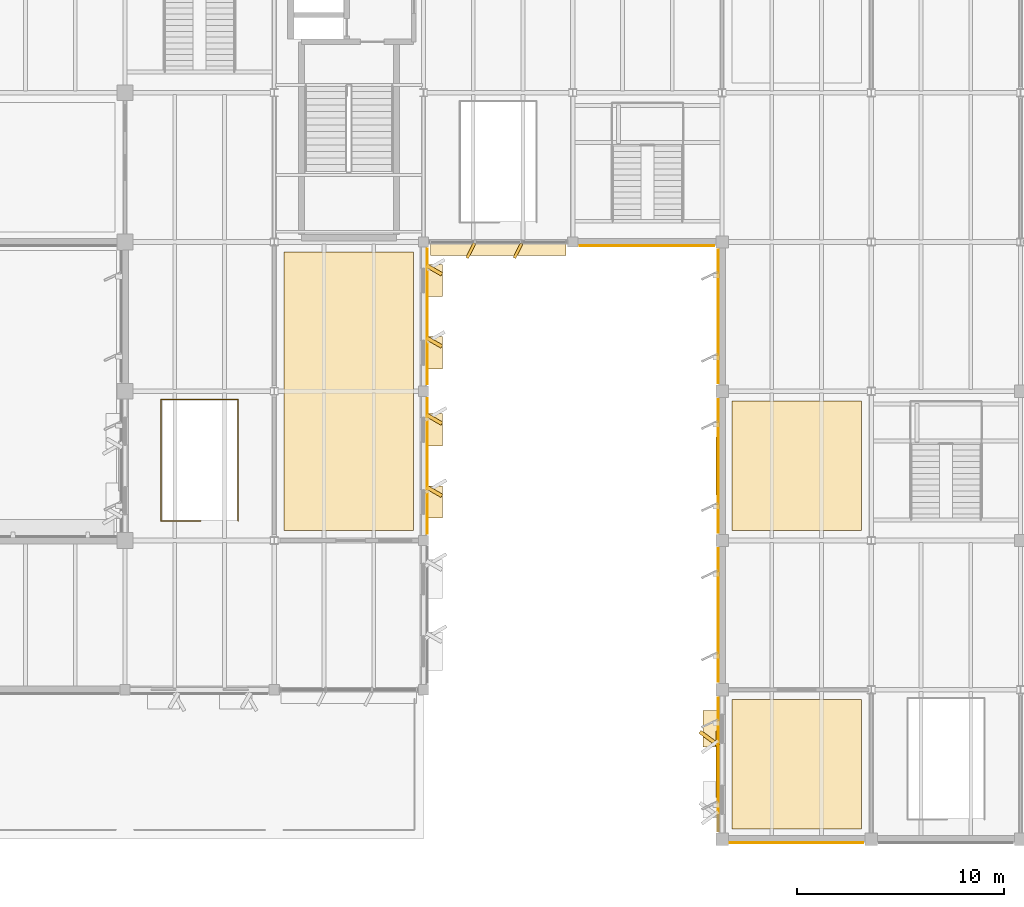
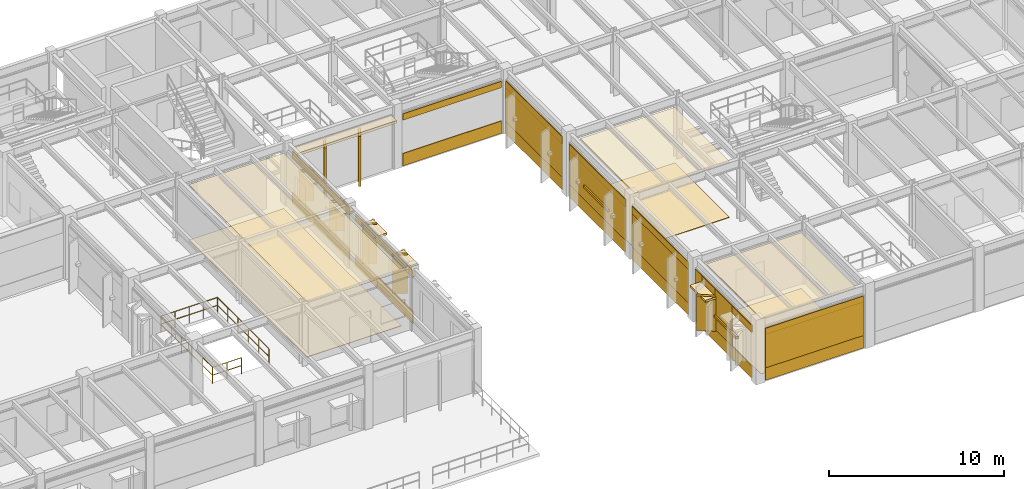
# One storey, part 77 of 92: 41 coverings, 2 shading devices, 1 railing.
"""IFC4 building model written with IfcOpenShell, lengths in metres."""

import ifcopenshell
import ifcopenshell.guid

model = None  # the IFC model being written
_history = None  # IfcOwnerHistory: only IFC2X3 demands one
_inside = {}  # id of a spatial element -> (the spatial element, [elements in it])
_under = {}  # id of a project, library or spatial element -> (it, [spatial elements below it])
_declared = {}  # id of a project -> (the project, [libraries it declares])
_typed = {}  # id of a type object -> (the type object, [elements of that type])
_made_of = {}  # id of a material, layer set ... -> (it, [elements and type objects made of it])


def new_model(schema):
    """Start an empty IFC model of exactly this schema.

    Asked for "IFC4X3", IfcOpenShell would pick the latest addendum, in which some entities
    have other attributes; the version numbers below select the first issue.
    IFC2X3 requires an IfcOwnerHistory on every rooted entity: one is made here for all.
    """
    global model, _history
    if schema == "IFC4X3":
        model = ifcopenshell.file(schema_version=(4, 3, 0, 0))
    else:
        model = ifcopenshell.file(schema=schema)
    _inside.clear()
    _under.clear()
    _declared.clear()
    _typed.clear()
    _made_of.clear()
    _history = None
    if model.schema == "IFC2X3":
        org = make("IfcOrganization", Name="unknown")
        user = make(
            "IfcPersonAndOrganization",
            ThePerson=make("IfcPerson", FamilyName="unknown"),
            TheOrganization=org,
        )
        app = make(
            "IfcApplication",
            ApplicationDeveloper=org,
            Version="unknown",
            ApplicationFullName="unknown",
            ApplicationIdentifier="unknown",
        )
        _history = make(
            "IfcOwnerHistory",
            OwningUser=user,
            OwningApplication=app,
            ChangeAction="ADDED",
            CreationDate=0,
        )
    return model


def make(cls, **values):
    """One entity of the class cls with the attributes given. An attribute that is None is left unset."""
    return model.create_entity(
        cls, **{name: value for name, value in values.items() if value is not None}
    )


def rooted(cls, **values):
    """An entity with a GlobalId (a new one), such as an element, a storey or a relation."""
    return make(cls, GlobalId=ifcopenshell.guid.new(), OwnerHistory=_history, **values)


def si_unit(unit_type, name, prefix=None):
    """IfcSIUnit, for example si_unit("LENGTHUNIT", "METRE", prefix="MILLI")."""
    return make("IfcSIUnit", UnitType=unit_type, Prefix=prefix, Name=name)


def assignment(units):
    """IfcUnitAssignment: the units of a project."""
    return None if units is None else make("IfcUnitAssignment", Units=units)


def point(xyz):
    """IfcCartesianPoint."""
    return None if xyz is None else make("IfcCartesianPoint", Coordinates=xyz)


def direction(xyz):
    """IfcDirection."""
    return None if xyz is None else make("IfcDirection", DirectionRatios=xyz)


def frame(location, z_axis=None, x_axis=None):
    """IfcAxis2Placement3D, a coordinate frame: its origin and axes. An axis left out is left unset."""
    return make(
        "IfcAxis2Placement3D",
        Location=point(location),
        Axis=direction(z_axis),
        RefDirection=direction(x_axis),
    )


def frame_2d(location, x_axis=None):
    """IfcAxis2Placement2D, a coordinate frame in the plane: its origin and x axis."""
    return make(
        "IfcAxis2Placement2D", Location=point(location), RefDirection=direction(x_axis)
    )


def origin():
    """The frame at (0, 0, 0) with its axes left unset."""
    return frame((0.0, 0.0, 0.0))


def origin_2d():
    """The frame at (0, 0) in the plane with its x axis left unset."""
    return frame_2d((0.0, 0.0))


def place(relative_to, where):
    """IfcLocalPlacement: puts the frame where relative to a parent placement (None: the world)."""
    return make(
        "IfcLocalPlacement", PlacementRelTo=relative_to, RelativePlacement=where
    )


def context(
    kind, dimensions, precision=None, world=None, true_north=None, identifier=None
):
    """IfcGeometricRepresentationContext, for example the 3D "Model" context."""
    return make(
        "IfcGeometricRepresentationContext",
        ContextIdentifier=identifier,
        ContextType=kind,
        CoordinateSpaceDimension=dimensions,
        Precision=precision,
        WorldCoordinateSystem=world,
        TrueNorth=true_north,
    )


def subcontext(parent, identifier, kind, view, scale=None):
    """IfcGeometricRepresentationSubContext, for example "Body" below "Model"."""
    return make(
        "IfcGeometricRepresentationSubContext",
        ContextIdentifier=identifier,
        ContextType=kind,
        ParentContext=parent,
        TargetScale=scale,
        TargetView=view,
    )


def project(units=None, contexts=None):
    """IfcProject with its units and contexts."""
    return rooted(
        "IfcProject",
        Name="project",
        RepresentationContexts=contexts,
        UnitsInContext=assignment(units),
    )


def spatial(cls, under=None, at=None, **own):
    """A site, building, storey or space (cls), placed at a placement, below another one or the project."""
    s = rooted(cls, ObjectPlacement=at, **own)
    if under is not None:
        _under.setdefault(under.id(), (under, []))[1].append(s)
    return s


def polyline(points):
    """IfcPolyline through the points."""
    return make("IfcPolyline", Points=[point(p) for p in points])


def profile(cls, at=None, kind="AREA", **sizes):
    """A parametric profile (cls). Its sizes go by their IFC names, for example OverallWidth=200.0."""
    return make(cls, ProfileType=kind, Position=at, **sizes)


def rectangle(**sizes):
    """IfcRectangleProfileDef."""
    return profile("IfcRectangleProfileDef", **sizes)


def circle(**sizes):
    """IfcCircleProfileDef."""
    return profile("IfcCircleProfileDef", **sizes)


def outline(outer, holes=None, kind="AREA"):
    """IfcArbitraryClosedProfileDef: a profile drawn as a closed curve; with holes, ...WithVoids."""
    if holes is None:
        return make("IfcArbitraryClosedProfileDef", ProfileType=kind, OuterCurve=outer)
    return make(
        "IfcArbitraryProfileDefWithVoids",
        ProfileType=kind,
        OuterCurve=outer,
        InnerCurves=holes,
    )


def extrude(swept, where, along, depth):
    """IfcExtrudedAreaSolid: the profile swept, set in the frame where, extruded along a direction by depth."""
    return make(
        "IfcExtrudedAreaSolid",
        SweptArea=swept,
        Position=where,
        ExtrudedDirection=direction(along),
        Depth=depth,
    )


def shape(context_of_items, identifier, shape_type, items):
    """IfcShapeRepresentation: the items that make up one representation, for example the "Body"."""
    return make(
        "IfcShapeRepresentation",
        ContextOfItems=context_of_items,
        RepresentationIdentifier=identifier,
        RepresentationType=shape_type,
        Items=items,
    )


def material(Name=None, Category=None):
    """IfcMaterial."""
    return make("IfcMaterial", Name=Name, Category=Category)


def layer(
    of_material, thickness, ventilated=None, Name=None, Category=None, Priority=None
):
    """IfcMaterialLayer: one layer of a wall or slab, of a material (None: an air gap)."""
    return make(
        "IfcMaterialLayer",
        Material=of_material,
        LayerThickness=thickness,
        IsVentilated=ventilated,
        Name=Name,
        Category=Category,
        Priority=Priority,
    )


def layer_set(layers, Name=None):
    """IfcMaterialLayerSet."""
    return make("IfcMaterialLayerSet", MaterialLayers=layers, LayerSetName=Name)


def made_of(thing, what):
    """Note that an element or type object is made of a material, layer set ...; save() writes the relation."""
    if what is not None:
        _made_of.setdefault(what.id(), (what, []))[1].append(thing)
    return thing


def type_object(cls, material=None, **own):
    """A type object (cls), such as IfcWallType, which elements share."""
    return made_of(rooted(cls, **own), material)


def element(
    cls,
    number,
    at=None,
    inside=None,
    cuts=None,
    type_object=None,
    material=None,
    context=None,
    identifier="Body",
    shape_type=None,
    held_by="IfcProductDefinitionShape",
    body=None,
    shapes=None,
    **own,
):
    """One element of the class cls, such as IfcWall. Its Tag is "e" and its number.

    at: its placement. inside: the storey or other place that contains it. cuts: it is an
    opening in that element (IfcRelVoidsElement). A single representation is given by context,
    identifier, shape_type and body (its items); several are given by shapes. held_by: the class
    of the entity that holds the representations. save() writes the other relations.
    """
    e = rooted(cls, Tag="e%d" % number, ObjectPlacement=at, **own)
    if body is not None:
        shapes = [shape(context, identifier, shape_type, body)]
    if shapes is not None:
        e.Representation = make(held_by, Representations=shapes)
    if inside is not None:
        _inside.setdefault(inside.id(), (inside, []))[1].append(e)
    if cuts is not None:
        rooted(
            "IfcRelVoidsElement", RelatingBuildingElement=cuts, RelatedOpeningElement=e
        )
    if type_object is not None:
        _typed.setdefault(type_object.id(), (type_object, []))[1].append(e)
    return made_of(e, material)


def aggregate(whole, parts):
    """IfcRelAggregates: a whole, such as a stair, and the parts it consists of."""
    return rooted("IfcRelAggregates", RelatingObject=whole, RelatedObjects=parts)


def save(model, path):
    """Write the relations noted so far, then the file.

    IfcRelAggregates (storeys below a building ...), IfcRelContainedInSpatialStructure (elements
    in a storey), IfcRelDefinesByType, IfcRelAssociatesMaterial and IfcRelDeclares: one each for
    every whole, place, type object, material and project.
    """
    for whole, parts in _under.values():
        aggregate(whole, parts)
    for where, things in _inside.values():
        rooted(
            "IfcRelContainedInSpatialStructure",
            RelatedElements=things,
            RelatingStructure=where,
        )
    for kind, things in _typed.values():
        rooted("IfcRelDefinesByType", RelatedObjects=things, RelatingType=kind)
    for what, things in _made_of.values():
        rooted("IfcRelAssociatesMaterial", RelatedObjects=things, RelatingMaterial=what)
    for by, libraries in _declared.values():
        rooted("IfcRelDeclares", RelatingContext=by, RelatedDefinitions=libraries)
    model.write(path)


model = new_model("IFC4")

# Units and contexts
model_context = context("Model", 3, precision=1e-05, world=origin(), true_north=direction((0.0, 1.0)))
body_context = subcontext(model_context, "Body", "Model", "MODEL_VIEW")
ifc_project = project(units=[si_unit("LENGTHUNIT", "METRE"), si_unit("AREAUNIT", "SQUARE_METRE"), si_unit("VOLUMEUNIT", "CUBIC_METRE"), si_unit("PLANEANGLEUNIT", "RADIAN"), si_unit("MASSUNIT", "GRAM", prefix="KILO")], contexts=[model_context])

# Site, building, storey
site_placement = place(None, origin())
site = spatial("IfcSite", under=ifc_project, at=site_placement, CompositionType="ELEMENT")
building_placement = place(site_placement, origin())
building = spatial("IfcBuilding", under=site, at=building_placement, Name="Sillqori Civic Hall", CompositionType="ELEMENT")
storey_placement = place(building_placement, frame((0.0, 0.0, 5.39990234375)))
storey = spatial("IfcBuildingStorey", under=building, at=storey_placement, Name="L02", CompositionType="ELEMENT", Elevation=5.39990234375)

# Coverings
ifc_material_1 = material(Name="Acoustic Gypsum Board Assembly 28", Category="gypsum")
ifc_layer_1 = layer(ifc_material_1, 0.028076171875)
ifc_layer_set_1 = layer_set([ifc_layer_1], Name="Acoustic Gypsum Board Assembly 28")
covering_type_1 = type_object("IfcCoveringType", Name="COV-CEIL-G28", PredefinedType="CEILING", material=ifc_layer_set_1)
covering_1_placement = place(storey_placement, frame((0.0, 0.0, 3.873046875)))
element("IfcCovering", 1, at=covering_1_placement, inside=storey, type_object=covering_type_1, Name="Broadcast Control and Parliamentary Recording Room acoustic ceiling", PredefinedType="CEILING", context=body_context, shape_type="SweptSolid", body=[
    extrude(outline(polyline([(43.679931640625, 22.080078125), (49.919921875, 22.080078125), (49.919921875, 35.52001953125), (43.679931640625, 35.52001953125), (43.679931640625, 22.080078125)])), origin(), (0.0, 0.0, 1.0), 0.028076171875),
])
ifc_material_2 = material(Name="Perforated Metal Coffer Panel 64", Category="aluminium")
ifc_layer_2 = layer(ifc_material_2, 0.06396484375)
ifc_layer_set_2 = layer_set([ifc_layer_2], Name="Perforated Metal Coffer Panel 64")
covering_type_2 = type_object("IfcCoveringType", Name="COV-CEIL-M64", PredefinedType="CEILING", material=ifc_layer_set_2)
covering_2_placement = place(storey_placement, frame((0.0, 0.0, 3.837158203125)))
element("IfcCovering", 2, at=covering_2_placement, inside=storey, type_object=covering_type_2, Name="Building Permits Technical Review Counter acoustic ceiling", PredefinedType="CEILING", context=body_context, shape_type="SweptSolid", body=[
    extrude(outline(polyline([(65.280029296875, 22.080078125), (71.52001953125, 22.080078125), (71.52001953125, 28.320068359375), (65.280029296875, 28.320068359375), (65.280029296875, 22.080078125)])), origin(), (0.0, 0.0, 1.0), 0.06396484375),
])
ifc_material_3 = material(Name="Andean Cedar Deep Baffle 58", Category="timber")
ifc_layer_3 = layer(ifc_material_3, 0.05810546875)
ifc_layer_set_3 = layer_set([ifc_layer_3], Name="Andean Cedar Deep Baffle 58")
covering_type_3 = type_object("IfcCoveringType", Name="COV-CEIL-T58", PredefinedType="CEILING", material=ifc_layer_set_3)
covering_3_placement = place(storey_placement, frame((0.0, 0.0, 3.843017578125)))
element("IfcCovering", 3, at=covering_3_placement, inside=storey, type_object=covering_type_3, Name="Citizens Tax and Property Assessment Suite acoustic ceiling", PredefinedType="CEILING", context=body_context, shape_type="SweptSolid", body=[
    extrude(outline(polyline([(65.280029296875, 7.679931640625), (71.52001953125, 7.679931640625), (71.52001953125, 13.919921875), (65.280029296875, 13.919921875), (65.280029296875, 7.679931640625)])), origin(), (0.0, 0.0, 1.0), 0.05810546875),
])
ifc_material_4 = material(Name="Cochabamba Honed Limestone Cladding", Category="masonry")
ifc_layer_4 = layer(ifc_material_4, 0.044921875)
ifc_layer_set_4 = layer_set([ifc_layer_4], Name="Cochabamba Honed Limestone Cladding")
covering_type_4 = type_object("IfcCoveringType", Name="COV-CLAD-LIME", PredefinedType="CLADDING", material=ifc_layer_set_4)
covering_4_placement = place(storey_placement, frame((50.590087890625, 28.469970703125, 0.0400390625), z_axis=(0.0, 0.0, 1.0), x_axis=(0.0, -1.0, 0.0)))
element("IfcCovering", 4, at=covering_4_placement, inside=storey, type_object=covering_type_4, Name="L02 limestone spandrel cladding L02-06-03-E", PredefinedType="CLADDING", context=body_context, shape_type="SweptSolid", body=[
    extrude(rectangle(XDim=6.5400390625, YDim=0.044921875, at=frame_2d((3.27001953125, 0.0))), origin(), (0.0, 0.0, 1.0), 0.860107421875),
])
covering_5_placement = place(storey_placement, frame((50.590087890625, 28.469970703125, 3.22021484375), z_axis=(0.0, 0.0, 1.0), x_axis=(0.0, -1.0, 0.0)))
element("IfcCovering", 5, at=covering_5_placement, inside=storey, type_object=covering_type_4, Name="L02 limestone frieze cladding L02-06-03-E", PredefinedType="CLADDING", context=body_context, shape_type="SweptSolid", body=[
    extrude(rectangle(XDim=6.5400390625, YDim=0.044921875, at=frame_2d((3.27001953125, 0.0))), origin(), (0.0, 0.0, 1.0), 0.5068359375),
])
covering_6_placement = place(storey_placement, frame((50.550048828125, 27.662109375, 0.830078125), z_axis=(0.0, 0.0, 1.0), x_axis=(0.865989465428, -0.500062241894, 0.0)))
element("IfcCovering", 6, at=covering_6_placement, inside=storey, type_object=covering_type_4, Name="Sawtooth limestone angled reveal cheek L02-06-03-E.1", PredefinedType="CLADDING", context=body_context, shape_type="SweptSolid", body=[
    extrude(rectangle(XDim=0.85009765625, YDim=0.179931640625, at=frame_2d((0.425048828125, 0.0))), origin(), (0.0, 0.0, 1.0), 2.699951171875),
])
covering_7_placement = place(storey_placement, frame((50.929931640625, 27.721923828125, 3.39013671875), z_axis=(0.0, 0.0, 1.0), x_axis=(0.0, -1.0, 0.0)))
element("IfcCovering", 7, at=covering_7_placement, inside=storey, type_object=covering_type_4, Name="Sawtooth limestone window hood L02-06-03-E.1", PredefinedType="CLADDING", context=body_context, shape_type="SweptSolid", body=[
    extrude(rectangle(XDim=1.559814453125, YDim=0.780029296875, at=frame_2d((0.77978515625, 0.0))), origin(), (0.0, 0.0, 1.0), 0.139892578125),
])
covering_8_placement = place(storey_placement, frame((50.550048828125, 24.177978515625, 0.830078125), z_axis=(0.0, 0.0, 1.0), x_axis=(0.865989465428, -0.500062241894, 0.0)))
element("IfcCovering", 8, at=covering_8_placement, inside=storey, type_object=covering_type_4, Name="Sawtooth limestone angled reveal cheek L02-06-03-E.2", PredefinedType="CLADDING", context=body_context, shape_type="SweptSolid", body=[
    extrude(rectangle(XDim=0.85009765625, YDim=0.179931640625, at=frame_2d((0.425048828125, 0.0))), origin(), (0.0, 0.0, 1.0), 2.699951171875),
])
covering_9_placement = place(storey_placement, frame((50.929931640625, 24.238037109375, 3.39013671875), z_axis=(0.0, 0.0, 1.0), x_axis=(0.0, -1.0, 0.0)))
element("IfcCovering", 9, at=covering_9_placement, inside=storey, type_object=covering_type_4, Name="Sawtooth limestone window hood L02-06-03-E.2", PredefinedType="CLADDING", context=body_context, shape_type="SweptSolid", body=[
    extrude(rectangle(XDim=1.56005859375, YDim=0.780029296875, at=frame_2d((0.780029296875, 0.0))), origin(), (0.0, 0.0, 1.0), 0.139892578125),
])
covering_10_placement = place(storey_placement, frame((50.590087890625, 35.669921875, 0.0400390625), z_axis=(0.0, 0.0, 1.0), x_axis=(0.0, -1.0, 0.0)))
element("IfcCovering", 10, at=covering_10_placement, inside=storey, type_object=covering_type_4, Name="L02 limestone spandrel cladding L02-06-04-E", PredefinedType="CLADDING", context=body_context, shape_type="SweptSolid", body=[
    extrude(rectangle(XDim=6.5400390625, YDim=0.044921875, at=frame_2d((3.27001953125, 0.0))), origin(), (0.0, 0.0, 1.0), 0.860107421875),
])
covering_11_placement = place(storey_placement, frame((50.590087890625, 35.669921875, 3.22021484375), z_axis=(0.0, 0.0, 1.0), x_axis=(0.0, -1.0, 0.0)))
element("IfcCovering", 11, at=covering_11_placement, inside=storey, type_object=covering_type_4, Name="L02 limestone frieze cladding L02-06-04-E", PredefinedType="CLADDING", context=body_context, shape_type="SweptSolid", body=[
    extrude(rectangle(XDim=6.5400390625, YDim=0.044921875, at=frame_2d((3.27001953125, 0.0))), origin(), (0.0, 0.0, 1.0), 0.5068359375),
])
covering_12_placement = place(storey_placement, frame((50.550048828125, 34.862060546875, 0.830078125), z_axis=(0.0, 0.0, 1.0), x_axis=(0.865989465428, -0.500062241894, 0.0)))
element("IfcCovering", 12, at=covering_12_placement, inside=storey, type_object=covering_type_4, Name="Sawtooth limestone angled reveal cheek L02-06-04-E.1", PredefinedType="CLADDING", context=body_context, shape_type="SweptSolid", body=[
    extrude(rectangle(XDim=0.85009765625, YDim=0.179931640625, at=frame_2d((0.425048828125, 0.0))), origin(), (0.0, 0.0, 1.0), 2.0),
])
covering_13_placement = place(storey_placement, frame((50.929931640625, 34.922119140625, 2.690185546875), z_axis=(0.0, 0.0, 1.0), x_axis=(0.0, -1.0, 0.0)))
element("IfcCovering", 13, at=covering_13_placement, inside=storey, type_object=covering_type_4, Name="Sawtooth limestone window hood L02-06-04-E.1", PredefinedType="CLADDING", context=body_context, shape_type="SweptSolid", body=[
    extrude(rectangle(XDim=1.56005859375, YDim=0.780029296875, at=frame_2d((0.780029296875, 0.0))), origin(), (0.0, 0.0, 1.0), 0.139892578125),
])
covering_14_placement = place(storey_placement, frame((50.550048828125, 31.3779296875, 0.830078125), z_axis=(0.0, 0.0, 1.0), x_axis=(0.865989465428, -0.500062241894, 0.0)))
element("IfcCovering", 14, at=covering_14_placement, inside=storey, type_object=covering_type_4, Name="Sawtooth limestone angled reveal cheek L02-06-04-E.2", PredefinedType="CLADDING", context=body_context, shape_type="SweptSolid", body=[
    extrude(rectangle(XDim=0.85009765625, YDim=0.179931640625, at=frame_2d((0.425048828125, 0.0))), origin(), (0.0, 0.0, 1.0), 2.0),
])
covering_15_placement = place(storey_placement, frame((50.929931640625, 31.43798828125, 2.690185546875), z_axis=(0.0, 0.0, 1.0), x_axis=(0.0, -1.0, 0.0)))
element("IfcCovering", 15, at=covering_15_placement, inside=storey, type_object=covering_type_4, Name="Sawtooth limestone window hood L02-06-04-E.2", PredefinedType="CLADDING", context=body_context, shape_type="SweptSolid", body=[
    extrude(rectangle(XDim=1.56005859375, YDim=0.780029296875, at=frame_2d((0.780029296875, 0.0))), origin(), (0.0, 0.0, 1.0), 0.139892578125),
])
covering_16_placement = place(storey_placement, frame((57.27001953125, 35.679931640625, 3.51806640625), z_axis=(0.0, 0.0, 1.0), x_axis=(-1.0, 0.0, 0.0)))
element("IfcCovering", 16, at=covering_16_placement, inside=storey, type_object=covering_type_4, Name="L02 curtain-wall limestone solar hood L02-07-05-S", PredefinedType="CLADDING", context=body_context, shape_type="SweptSolid", body=[
    extrude(rectangle(XDim=6.5400390625, YDim=0.679931640625, at=frame_2d((3.27001953125, 0.0))), origin(), (0.0, 0.0, 1.0), 0.179931640625),
])
for number, where, z_axis, x_axis, name in (
    (17, (55.138916015625, 35.949951171875, 0.06005859375), (0.0, 0.0, 1.0), (-0.44709226377, -0.894487846579, 0.0), "L02 curtain-wall angled stone fin L02-07-05-S.1"),
    (18, (52.861083984375, 35.949951171875, 0.06005859375), (0.0, 0.0, 1.0), (-0.447334902547, -0.894366527193, 0.0), "L02 curtain-wall angled stone fin L02-07-05-S.2"),
):
    element("IfcCovering", number, at=place(storey_placement, frame(where, z_axis=z_axis, x_axis=x_axis)), inside=storey, type_object=covering_type_4, Name=name, PredefinedType="CLADDING", context=body_context, shape_type="SweptSolid", body=[
        extrude(rectangle(XDim=0.804931640625, YDim=0.139892578125, at=frame_2d((0.40234375, 0.0))), origin(), (0.0, 0.0, 1.0), 3.4580078125),
    ])
covering_17_placement = place(storey_placement, frame((64.419921875, 35.81005859375, 0.0400390625), z_axis=(0.0, 0.0, 1.0), x_axis=(-1.0, 0.0, 0.0)))
element("IfcCovering", 19, at=covering_17_placement, inside=storey, type_object=covering_type_4, Name="L02 limestone spandrel cladding L02-08-05-S", PredefinedType="CLADDING", context=body_context, shape_type="SweptSolid", body=[
    extrude(rectangle(XDim=6.489990234375, YDim=0.044921875, at=frame_2d((3.2451171875, 0.0))), origin(), (0.0, 0.0, 1.0), 0.860107421875),
])
covering_18_placement = place(storey_placement, frame((64.419921875, 35.81005859375, 3.22021484375), z_axis=(0.0, 0.0, 1.0), x_axis=(-1.0, 0.0, 0.0)))
element("IfcCovering", 20, at=covering_18_placement, inside=storey, type_object=covering_type_4, Name="L02 limestone frieze cladding L02-08-05-S", PredefinedType="CLADDING", context=body_context, shape_type="SweptSolid", body=[
    extrude(rectangle(XDim=6.489990234375, YDim=0.044921875, at=frame_2d((3.2451171875, 0.0))), origin(), (0.0, 0.0, 1.0), 0.43798828125),
])
covering_19_placement = place(storey_placement, frame((71.6201171875, 7.02001953125, 0.0400390625), z_axis=(0.0, 0.0, 1.0), x_axis=(-1.0, 0.0, 0.0)))
element("IfcCovering", 21, at=covering_19_placement, inside=storey, type_object=covering_type_4, Name="L02 limestone spandrel cladding L02-09-01-S", PredefinedType="CLADDING", context=body_context, shape_type="SweptSolid", body=[
    extrude(rectangle(XDim=6.440185546875, YDim=0.044921875, at=frame_2d((3.22021484375, 0.0))), origin(), (0.0, 0.0, 1.0), 0.860107421875),
])
covering_20_placement = place(storey_placement, frame((71.6201171875, 7.02001953125, 3.22021484375), z_axis=(0.0, 0.0, 1.0), x_axis=(-1.0, 0.0, 0.0)))
element("IfcCovering", 22, at=covering_20_placement, inside=storey, type_object=covering_type_4, Name="L02 limestone frieze cladding L02-09-01-S", PredefinedType="CLADDING", context=body_context, shape_type="SweptSolid", body=[
    extrude(rectangle(XDim=6.440185546875, YDim=0.044921875, at=frame_2d((3.22021484375, 0.0))), origin(), (0.0, 0.0, 1.0), 0.43798828125),
])
covering_21_placement = place(storey_placement, frame((71.6201171875, 7.02001953125, 0.900146484375), z_axis=(0.0, 0.0, 1.0), x_axis=(-1.0, 0.0, 0.0)))
element("IfcCovering", 23, at=covering_21_placement, inside=storey, type_object=covering_type_4, Name="L02 Wedge Hall limestone pier cladding L02-09-01-S.1", PredefinedType="CLADDING", context=body_context, shape_type="SweptSolid", body=[
    extrude(rectangle(XDim=6.440185546875, YDim=0.044921875, at=frame_2d((3.22021484375, 0.0))), origin(), (0.0, 0.0, 1.0), 2.758056640625),
])
covering_22_placement = place(storey_placement, frame((64.6201171875, 7.580078125, 0.0400390625), z_axis=(0.0, 0.0, 1.0), x_axis=(0.0, 1.0, 0.0)))
element("IfcCovering", 24, at=covering_22_placement, inside=storey, type_object=covering_type_4, Name="L02 limestone spandrel cladding L02-09-01-W", PredefinedType="CLADDING", context=body_context, shape_type="SweptSolid", body=[
    extrude(rectangle(XDim=6.43994140625, YDim=0.044921875, at=frame_2d((3.219970703125, 0.0))), origin(), (0.0, 0.0, 1.0), 0.860107421875),
])
covering_23_placement = place(storey_placement, frame((64.6201171875, 7.580078125, 3.22021484375), z_axis=(0.0, 0.0, 1.0), x_axis=(0.0, 1.0, 0.0)))
element("IfcCovering", 25, at=covering_23_placement, inside=storey, type_object=covering_type_4, Name="L02 limestone frieze cladding L02-09-01-W", PredefinedType="CLADDING", context=body_context, shape_type="SweptSolid", body=[
    extrude(rectangle(XDim=6.43994140625, YDim=0.044921875, at=frame_2d((3.219970703125, 0.0))), origin(), (0.0, 0.0, 1.0), 0.5068359375),
])
covering_24_placement = place(storey_placement, frame((64.6201171875, 9.823974609375, 0.900146484375), z_axis=(0.0, 0.0, 1.0), x_axis=(0.0, 1.0, 0.0)))
element("IfcCovering", 26, at=covering_24_placement, inside=storey, type_object=covering_type_4, Name="L02 Wedge Hall limestone pier cladding L02-09-01-W.2", PredefinedType="CLADDING", context=body_context, shape_type="SweptSolid", body=[
    extrude(rectangle(XDim=1.951904296875, YDim=0.044921875, at=frame_2d((0.97607421875, 0.0))), origin(), (0.0, 0.0, 1.0), 2.826904296875),
])
covering_25_placement = place(storey_placement, frame((64.6201171875, 13.256103515625, 0.900146484375), z_axis=(0.0, 0.0, 1.0), x_axis=(0.0, 1.0, 0.0)))
element("IfcCovering", 27, at=covering_25_placement, inside=storey, type_object=covering_type_4, Name="L02 Wedge Hall limestone pier cladding L02-09-01-W.3", PredefinedType="CLADDING", context=body_context, shape_type="SweptSolid", body=[
    extrude(rectangle(XDim=0.763916015625, YDim=0.044921875, at=frame_2d((0.3818359375, 0.0))), origin(), (0.0, 0.0, 1.0), 2.826904296875),
])
covering_26_placement = place(storey_placement, frame((64.659912109375, 11.696044921875, 0.830078125), z_axis=(0.0, 0.0, 1.0), x_axis=(-0.809002213092, 0.587805596445, 0.0)))
element("IfcCovering", 28, at=covering_26_placement, inside=storey, type_object=covering_type_4, Name="Sawtooth limestone angled reveal cheek L02-09-01-W.2", PredefinedType="CLADDING", context=body_context, shape_type="SweptSolid", body=[
    extrude(rectangle(XDim=1.150146484375, YDim=0.179931640625, at=frame_2d((0.5751953125, 0.0))), origin(), (0.0, 0.0, 1.0), 2.39990234375),
])
covering_27_placement = place(storey_placement, frame((64.280029296875, 11.635986328125, 3.090087890625), z_axis=(0.0, 0.0, 1.0), x_axis=(0.0, 1.0, 0.0)))
element("IfcCovering", 29, at=covering_27_placement, inside=storey, type_object=covering_type_4, Name="Sawtooth limestone window hood L02-09-01-W.2", PredefinedType="CLADDING", context=body_context, shape_type="SweptSolid", body=[
    extrude(rectangle(XDim=1.760009765625, YDim=0.780029296875, at=frame_2d((0.8798828125, 0.0))), origin(), (0.0, 0.0, 1.0), 0.139892578125),
])
covering_28_placement = place(storey_placement, frame((64.6201171875, 14.780029296875, 0.0400390625), z_axis=(0.0, 0.0, 1.0), x_axis=(0.0, 1.0, 0.0)))
element("IfcCovering", 30, at=covering_28_placement, inside=storey, type_object=covering_type_4, Name="L02 limestone spandrel cladding L02-09-02-W", PredefinedType="CLADDING", context=body_context, shape_type="SweptSolid", body=[
    extrude(rectangle(XDim=6.43994140625, YDim=0.044921875, at=frame_2d((3.219970703125, 0.0))), origin(), (0.0, 0.0, 1.0), 0.860107421875),
])
covering_29_placement = place(storey_placement, frame((64.6201171875, 14.780029296875, 3.22021484375), z_axis=(0.0, 0.0, 1.0), x_axis=(0.0, 1.0, 0.0)))
element("IfcCovering", 31, at=covering_29_placement, inside=storey, type_object=covering_type_4, Name="L02 limestone frieze cladding L02-09-02-W", PredefinedType="CLADDING", context=body_context, shape_type="SweptSolid", body=[
    extrude(rectangle(XDim=6.43994140625, YDim=0.044921875, at=frame_2d((3.219970703125, 0.0))), origin(), (0.0, 0.0, 1.0), 0.5068359375),
])
covering_30_placement = place(storey_placement, frame((64.6201171875, 14.780029296875, 0.900146484375), z_axis=(0.0, 0.0, 1.0), x_axis=(0.0, 1.0, 0.0)))
element("IfcCovering", 32, at=covering_30_placement, inside=storey, type_object=covering_type_4, Name="L02 Wedge Hall limestone pier cladding L02-09-02-W.1", PredefinedType="CLADDING", context=body_context, shape_type="SweptSolid", body=[
    extrude(rectangle(XDim=6.43994140625, YDim=0.044921875, at=frame_2d((3.219970703125, 0.0))), origin(), (0.0, 0.0, 1.0), 2.826904296875),
])
covering_31_placement = place(storey_placement, frame((64.6201171875, 21.97998046875, 0.0400390625), z_axis=(0.0, 0.0, 1.0), x_axis=(0.0, 1.0, 0.0)))
element("IfcCovering", 33, at=covering_31_placement, inside=storey, type_object=covering_type_4, Name="L02 limestone spandrel cladding L02-09-03-W", PredefinedType="CLADDING", context=body_context, shape_type="SweptSolid", body=[
    extrude(rectangle(XDim=6.43994140625, YDim=0.044921875, at=frame_2d((3.219970703125, 0.0))), origin(), (0.0, 0.0, 1.0), 0.860107421875),
])
covering_32_placement = place(storey_placement, frame((64.6201171875, 21.97998046875, 3.22021484375), z_axis=(0.0, 0.0, 1.0), x_axis=(0.0, 1.0, 0.0)))
element("IfcCovering", 34, at=covering_32_placement, inside=storey, type_object=covering_type_4, Name="L02 limestone frieze cladding L02-09-03-W", PredefinedType="CLADDING", context=body_context, shape_type="SweptSolid", body=[
    extrude(rectangle(XDim=6.43994140625, YDim=0.044921875, at=frame_2d((3.219970703125, 0.0))), origin(), (0.0, 0.0, 1.0), 0.5068359375),
])
covering_33_placement = place(storey_placement, frame((64.6201171875, 21.97998046875, 0.900146484375), z_axis=(0.0, 0.0, 1.0), x_axis=(0.0, 1.0, 0.0)))
element("IfcCovering", 35, at=covering_33_placement, inside=storey, type_object=covering_type_4, Name="L02 Wedge Hall limestone pier cladding L02-09-03-W.1", PredefinedType="CLADDING", context=body_context, shape_type="SweptSolid", body=[
    extrude(rectangle(XDim=6.43994140625, YDim=0.044921875, at=frame_2d((3.219970703125, 0.0))), origin(), (0.0, 0.0, 1.0), 2.826904296875),
])
covering_34_placement = place(storey_placement, frame((64.6201171875, 29.179931640625, 0.0400390625), z_axis=(0.0, 0.0, 1.0), x_axis=(0.0, 1.0, 0.0)))
element("IfcCovering", 36, at=covering_34_placement, inside=storey, type_object=covering_type_4, Name="L02 limestone spandrel cladding L02-09-04-W", PredefinedType="CLADDING", context=body_context, shape_type="SweptSolid", body=[
    extrude(rectangle(XDim=6.440185546875, YDim=0.044921875, at=frame_2d((3.22021484375, 0.0))), origin(), (0.0, 0.0, 1.0), 0.860107421875),
])
covering_35_placement = place(storey_placement, frame((64.6201171875, 29.179931640625, 3.22021484375), z_axis=(0.0, 0.0, 1.0), x_axis=(0.0, 1.0, 0.0)))
element("IfcCovering", 37, at=covering_35_placement, inside=storey, type_object=covering_type_4, Name="L02 limestone frieze cladding L02-09-04-W", PredefinedType="CLADDING", context=body_context, shape_type="SweptSolid", body=[
    extrude(rectangle(XDim=6.440185546875, YDim=0.044921875, at=frame_2d((3.22021484375, 0.0))), origin(), (0.0, 0.0, 1.0), 0.5068359375),
])
covering_36_placement = place(storey_placement, frame((64.6201171875, 29.179931640625, 0.900146484375), z_axis=(0.0, 0.0, 1.0), x_axis=(0.0, 1.0, 0.0)))
element("IfcCovering", 38, at=covering_36_placement, inside=storey, type_object=covering_type_4, Name="L02 Wedge Hall limestone pier cladding L02-09-04-W.1", PredefinedType="CLADDING", context=body_context, shape_type="SweptSolid", body=[
    extrude(rectangle(XDim=6.440185546875, YDim=0.044921875, at=frame_2d((3.22021484375, 0.0))), origin(), (0.0, 0.0, 1.0), 2.826904296875),
])
ifc_material_5 = material(Name="Honed Comanche Sandstone Paving 38", Category="masonry")
ifc_layer_5 = layer(ifc_material_5, 0.0380859375)
ifc_layer_set_5 = layer_set([ifc_layer_5], Name="Honed Comanche Sandstone Paving 38")
covering_type_5 = type_object("IfcCoveringType", Name="COV-FLR-S38", PredefinedType="FLOORING", material=ifc_layer_set_5)
covering_37_placement = place(storey_placement, origin())
element("IfcCovering", 39, at=covering_37_placement, inside=storey, type_object=covering_type_5, Name="Broadcast Control and Parliamentary Recording Room floor finish", PredefinedType="FLOORING", context=body_context, shape_type="SweptSolid", body=[
    extrude(outline(polyline([(43.679931640625, 22.080078125), (49.919921875, 22.080078125), (49.919921875, 35.52001953125), (43.679931640625, 35.52001953125), (43.679931640625, 22.080078125)])), origin(), (0.0, 0.0, 1.0), 0.0380859375),
])
ifc_material_6 = material(Name="Tajibo Parquet Strip Flooring 22", Category="timber")
ifc_layer_6 = layer(ifc_material_6, 0.02197265625)
ifc_layer_set_6 = layer_set([ifc_layer_6], Name="Tajibo Parquet Strip Flooring 22")
covering_type_6 = type_object("IfcCoveringType", Name="COV-FLR-T22", PredefinedType="FLOORING", material=ifc_layer_set_6)
covering_38_placement = place(storey_placement, origin())
element("IfcCovering", 40, at=covering_38_placement, inside=storey, type_object=covering_type_6, Name="Citizens Tax and Property Assessment Suite floor finish", PredefinedType="FLOORING", context=body_context, shape_type="SweptSolid", body=[
    extrude(outline(polyline([(65.280029296875, 7.679931640625), (71.52001953125, 7.679931640625), (71.52001953125, 13.919921875), (65.280029296875, 13.919921875), (65.280029296875, 7.679931640625)])), origin(), (0.0, 0.0, 1.0), 0.022216796875),
])
ifc_material_7 = material(Name="Acoustic Sprung Timber Flooring 30", Category="wood")
ifc_layer_7 = layer(ifc_material_7, 0.030029296875)
ifc_layer_set_7 = layer_set([ifc_layer_7], Name="Acoustic Sprung Timber Flooring 30")
covering_type_7 = type_object("IfcCoveringType", Name="COV-FLR-T30", PredefinedType="FLOORING", material=ifc_layer_set_7)
covering_39_placement = place(storey_placement, origin())
element("IfcCovering", 41, at=covering_39_placement, inside=storey, type_object=covering_type_7, Name="Building Permits Technical Review Counter floor finish", PredefinedType="FLOORING", context=body_context, shape_type="SweptSolid", body=[
    extrude(outline(polyline([(65.280029296875, 22.080078125), (71.52001953125, 22.080078125), (71.52001953125, 28.320068359375), (65.280029296875, 28.320068359375), (65.280029296875, 22.080078125)])), origin(), (0.0, 0.0, 1.0), 0.030029296875),
])

# Railing
ifc_material_8 = material(Name="Architectural Bronze and Tempered Glass Balustrade", Category="glass")
ifc_layer_8 = layer(ifc_material_8, 0.080078125)
ifc_layer_set_8 = layer_set([ifc_layer_8], Name="Architectural Bronze and Tempered Glass Balustrade")
railing_type = type_object("IfcRailingType", Name="RLG-BALU-115", PredefinedType="BALUSTRADE", material=ifc_layer_set_8)
railing_placement = place(storey_placement, frame((39.659912109375, 22.5400390625, 0.0)))
element("IfcRailing", 42, at=railing_placement, inside=storey, type_object=railing_type, Name="Council Foyer Ceremonial Stair L01-L02 upper atrium well balustrade", PredefinedType="BALUSTRADE", context=body_context, shape_type="SweptSolid", body=[
    extrude(circle(Radius=0.02392578125, at=origin_2d()), frame((0.0, 0.0, 1.1259765625), z_axis=(-1.0, 0.0, 0.0), x_axis=(0.0, -1.0, 0.0)), (0.0, 0.0, 1.0), 1.919921875),
    extrude(circle(Radius=0.02392578125, at=origin_2d()), frame((0.0, 0.0, 0.574951171875), z_axis=(-1.0, 0.0, 0.0), x_axis=(0.0, -1.0, 0.0)), (0.0, 0.0, 1.0), 1.919921875),
    extrude(circle(Radius=0.02392578125, at=origin_2d()), frame((-1.919921875, 0.0, 1.1259765625), z_axis=(0.0, 1.0, 0.0), x_axis=(-1.0, 0.0, 0.0)), (0.0, 0.0, 1.0), 5.869873046875),
    extrude(circle(Radius=0.02392578125, at=origin_2d()), frame((-1.919921875, 0.0, 0.574951171875), z_axis=(0.0, 1.0, 0.0), x_axis=(-1.0, 0.0, 0.0)), (0.0, 0.0, 1.0), 5.869873046875),
    extrude(circle(Radius=0.02392578125, at=origin_2d()), frame((-1.919921875, 5.869873046875, 1.1259765625), z_axis=(1.0, 0.0, 0.0), x_axis=(0.0, 1.0, 0.0)), (0.0, 0.0, 1.0), 3.719970703125),
    extrude(circle(Radius=0.02392578125, at=origin_2d()), frame((-1.919921875, 5.869873046875, 0.574951171875), z_axis=(1.0, 0.0, 0.0), x_axis=(0.0, 1.0, 0.0)), (0.0, 0.0, 1.0), 3.719970703125),
    extrude(circle(Radius=0.02392578125, at=origin_2d()), frame((1.800048828125, 5.869873046875, 1.1259765625), z_axis=(0.0, -1.0, 0.0), x_axis=(1.0, 0.0, 0.0)), (0.0, 0.0, 1.0), 5.869873046875),
    extrude(circle(Radius=0.02392578125, at=origin_2d()), frame((1.800048828125, 5.869873046875, 0.574951171875), z_axis=(0.0, -1.0, 0.0), x_axis=(1.0, 0.0, 0.0)), (0.0, 0.0, 1.0), 5.869873046875),
    extrude(circle(Radius=0.02099609375, at=origin_2d()), origin(), (0.0, 0.0, 1.0), 1.101806640625),
    extrude(circle(Radius=0.02099609375, at=origin_2d()), frame((-0.9599609375, 0.0, 0.0)), (0.0, 0.0, 1.0), 1.101806640625),
    extrude(circle(Radius=0.02099609375, at=origin_2d()), frame((-1.919921875, 0.0, 0.0)), (0.0, 0.0, 1.0), 1.101806640625),
    extrude(circle(Radius=0.02099609375, at=origin_2d()), frame((-1.919921875, 1.174072265625, 0.0)), (0.0, 0.0, 1.0), 1.101806640625),
    extrude(circle(Radius=0.02099609375, at=origin_2d()), frame((-1.919921875, 2.347900390625, 0.0)), (0.0, 0.0, 1.0), 1.101806640625),
    extrude(circle(Radius=0.02099609375, at=origin_2d()), frame((-1.919921875, 3.52197265625, 0.0)), (0.0, 0.0, 1.0), 1.101806640625),
    extrude(circle(Radius=0.02099609375, at=origin_2d()), frame((-1.919921875, 4.69580078125, 0.0)), (0.0, 0.0, 1.0), 1.101806640625),
    extrude(circle(Radius=0.02099609375, at=origin_2d()), frame((-1.919921875, 5.869873046875, 0.0)), (0.0, 0.0, 1.0), 1.101806640625),
    extrude(circle(Radius=0.02099609375, at=origin_2d()), frame((-0.989990234375, 5.869873046875, 0.0)), (0.0, 0.0, 1.0), 1.101806640625),
    extrude(circle(Radius=0.02099609375, at=origin_2d()), frame((-0.06005859375, 5.869873046875, 0.0)), (0.0, 0.0, 1.0), 1.101806640625),
    extrude(circle(Radius=0.02099609375, at=origin_2d()), frame((0.8701171875, 5.869873046875, 0.0)), (0.0, 0.0, 1.0), 1.101806640625),
    extrude(circle(Radius=0.02099609375, at=origin_2d()), frame((1.800048828125, 5.869873046875, 0.0)), (0.0, 0.0, 1.0), 1.101806640625),
    extrude(circle(Radius=0.02099609375, at=origin_2d()), frame((1.800048828125, 4.69580078125, 0.0)), (0.0, 0.0, 1.0), 1.101806640625),
    extrude(circle(Radius=0.02099609375, at=origin_2d()), frame((1.800048828125, 3.52197265625, 0.0)), (0.0, 0.0, 1.0), 1.101806640625),
    extrude(circle(Radius=0.02099609375, at=origin_2d()), frame((1.800048828125, 2.347900390625, 0.0)), (0.0, 0.0, 1.0), 1.101806640625),
    extrude(circle(Radius=0.02099609375, at=origin_2d()), frame((1.800048828125, 1.174072265625, 0.0)), (0.0, 0.0, 1.0), 1.101806640625),
    extrude(circle(Radius=0.02099609375, at=origin_2d()), frame((1.800048828125, 0.0, 0.0)), (0.0, 0.0, 1.0), 1.101806640625),
])

# Shading devices
ifc_material_9 = material(Name="Anodized Aluminium Solar Control Louvre", Category="aluminium")
shading_device_type_1 = type_object("IfcShadingDeviceType", Name="SHD-CLAU-280", PredefinedType="SHUTTER", material=ifc_material_9)
shading_device_1_placement = place(storey_placement, frame((64.580078125, 25.199951171875, 1.8037109375), z_axis=(0.0, 0.0, 1.0), x_axis=(0.0, 1.0, 0.0)))
element("IfcShadingDevice", 43, at=shading_device_1_placement, inside=storey, type_object=shading_device_type_1, Name="L02 pierced claustra screen L02-09-03-W", PredefinedType="SHUTTER", context=body_context, shape_type="SweptSolid", body=[
    extrude(rectangle(XDim=2.800048828125, YDim=0.159912109375, at=origin_2d()), origin(), (0.0, 0.0, 1.0), 0.159912109375),
])
shading_device_type_2 = type_object("IfcShadingDeviceType", Name="SHD-CLAU-320", PredefinedType="SHUTTER", material=ifc_material_9)
shading_device_2_placement = place(storey_placement, frame((64.580078125, 10.800048828125, 1.8037109375), z_axis=(0.0, 0.0, 1.0), x_axis=(0.0, 1.0, 0.0)))
element("IfcShadingDevice", 44, at=shading_device_2_placement, inside=storey, type_object=shading_device_type_2, Name="L02 pierced claustra screen L02-09-01-W", PredefinedType="SHUTTER", context=body_context, shape_type="SweptSolid", body=[
    extrude(rectangle(XDim=3.199951171875, YDim=0.159912109375, at=origin_2d()), origin(), (0.0, 0.0, 1.0), 0.159912109375),
])

save(model, "model.ifc")
